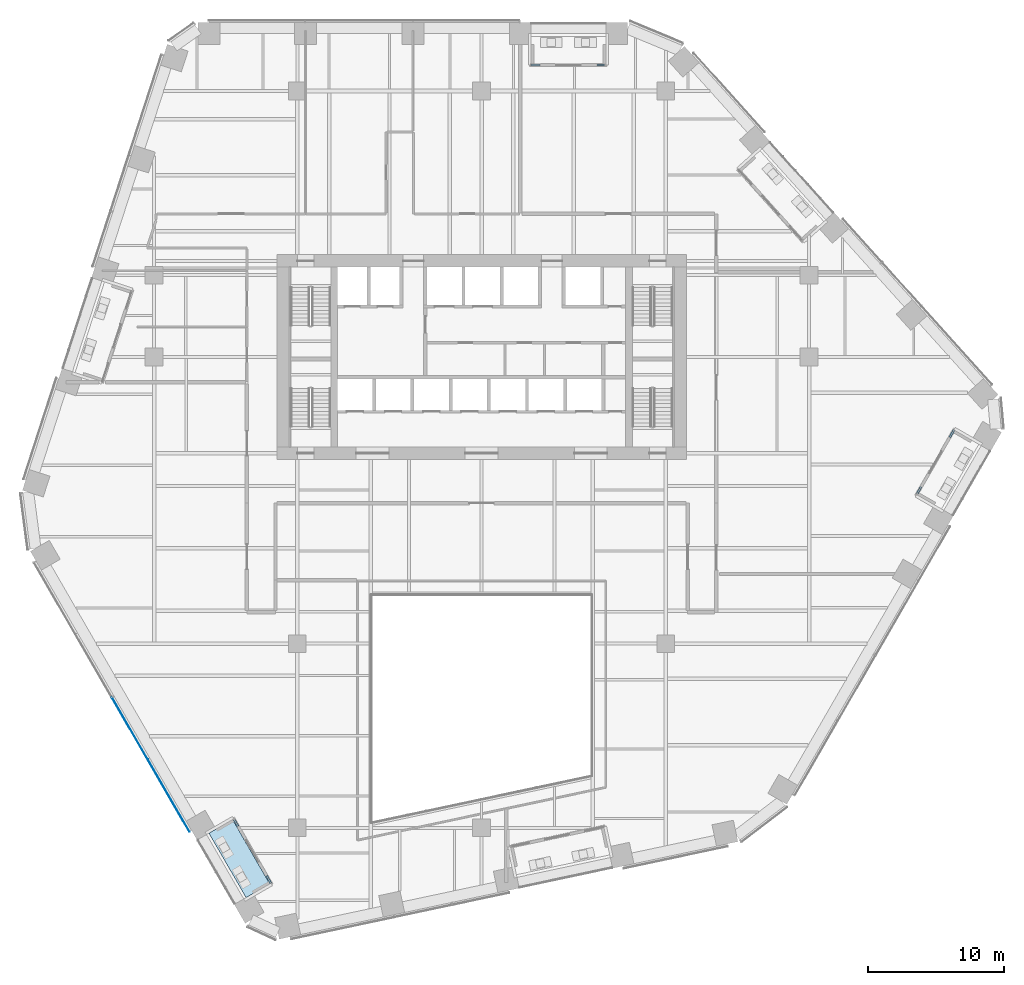
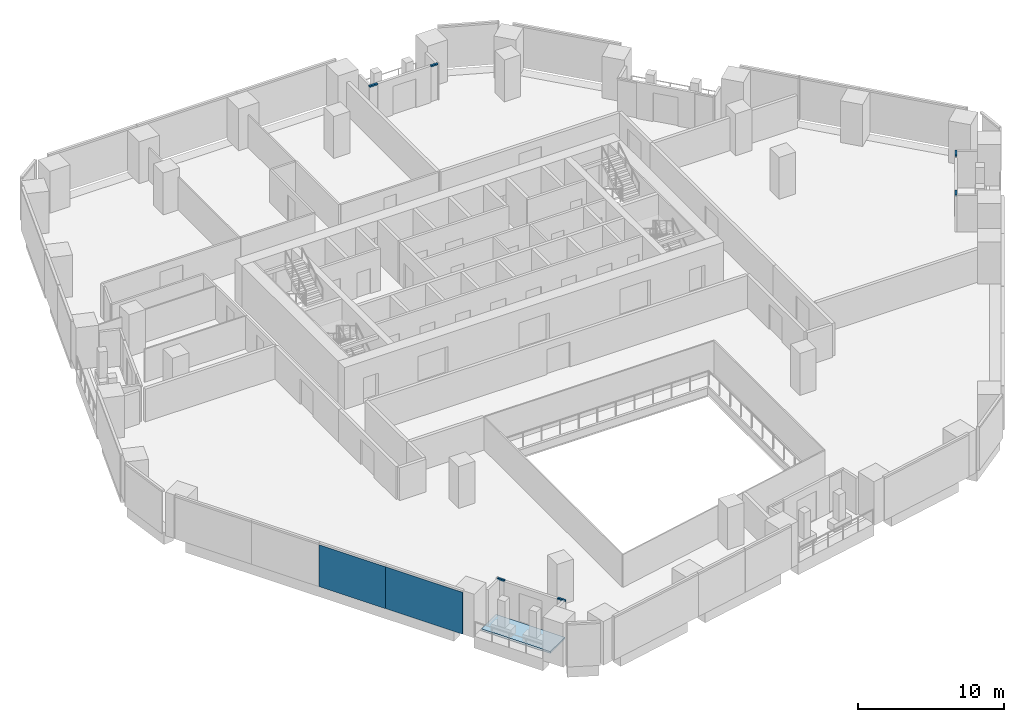
# One storey, part 15 of 28: 6 members, 2 plates, 1 slab, 4 elements without a shape of their own.
"""IFC4 building model written with IfcOpenShell, lengths in metres."""

from ifc_helpers import new_model, si_unit, direction, frame, origin, origin_2d, place, context, subcontext, project, spatial, polyline, rectangle, outline, extrude, material, layer, layer_set, material_profile, profile_set, type_object, element, aggregate, save


model = new_model("IFC4")

# Units and contexts
model_context = context("Model", 3, precision=1e-05, world=origin(), true_north=direction((0.0, 1.0)))
body_context = subcontext(model_context, "Body", "Model", "MODEL_VIEW")
ifc_project = project(units=[si_unit("LENGTHUNIT", "METRE"), si_unit("AREAUNIT", "SQUARE_METRE"), si_unit("VOLUMEUNIT", "CUBIC_METRE"), si_unit("PLANEANGLEUNIT", "RADIAN"), si_unit("MASSUNIT", "GRAM", prefix="KILO")], contexts=[model_context])

# Site, building, storey
site_placement = place(None, origin())
site = spatial("IfcSite", under=ifc_project, at=site_placement, CompositionType="ELEMENT")
building_placement = place(site_placement, origin())
building = spatial("IfcBuilding", under=site, at=building_placement, Name="Isthmus Gate Tower", CompositionType="ELEMENT")
storey_placement = place(building_placement, frame((0.0, 0.0, 98.89990234375)))
storey = spatial("IfcBuildingStorey", under=building, at=storey_placement, Name="L23", CompositionType="ELEMENT", Elevation=98.89990234375)

# Curtain wall, members
ifc_material_1 = material(Name="Aluminium, pale champagne anodised", Category="aluminium")
ifc_layer_1 = layer(ifc_material_1, 0.14990234375)
ifc_layer_set_1 = layer_set([ifc_layer_1], Name="CW-6 LOGGIA BACK WALL GLAZING 150 DEEP")
curtain_wall_type_1 = type_object("IfcCurtainWallType", Name="CW-6 LOGGIA BACK WALL GLAZING 150 DEEP", PredefinedType="NOTDEFINED", material=ifc_layer_set_1)
curtain_wall_1_placement = place(storey_placement, origin())
curtain_wall_1 = element("IfcCurtainWall", 1, at=curtain_wall_1_placement, inside=storey, type_object=curtain_wall_type_1, Name="CW-6 N L23", PredefinedType="NOTDEFINED")
ifc_material_2 = material(Name="Aluminium, pale champagne anodised", Category="aluminium")
ifc_material_profile = material_profile(ifc_material_2, rectangle(XDim=0.14990234375, YDim=0.1201171875, at=origin_2d()), Name="150x120")
ifc_profile_set = profile_set([ifc_material_profile], Name="Aluminium, pale champagne anodised")
member_type = type_object("IfcMemberType", Name="CW-6 TRANSOM 150 X 120", PredefinedType="USERDEFINED", material=ifc_profile_set)
member_1_placement = place(storey_placement, frame((9.041748046875, 28.89990234375, 2.989990234375), z_axis=(-1.0, 0.0, 0.0), x_axis=(0.0, -1.0, 0.0)))
member_1 = element("IfcMember", 2, at=member_1_placement, type_object=member_type, Name="CW-6 transom", ObjectType="TRANSOM", PredefinedType="USERDEFINED", context=body_context, shape_type="SweptSolid", body=[
    extrude(rectangle(XDim=0.14990234375, YDim=0.1201171875, at=origin_2d()), origin(), (0.0, 0.0, 1.0), 0.57470703125),
])
member_2_placement = place(storey_placement, frame((4.26708984375, 28.89990234375, 2.989990234375), z_axis=(-1.0, 0.0, 0.0), x_axis=(0.0, -1.0, 0.0)))
member_2 = element("IfcMember", 3, at=member_2_placement, type_object=member_type, Name="CW-6 transom", ObjectType="TRANSOM", PredefinedType="USERDEFINED", context=body_context, shape_type="SweptSolid", body=[
    extrude(rectangle(XDim=0.14990234375, YDim=0.1201171875, at=origin_2d()), origin(), (0.0, 0.0, 1.0), 0.634765625),
])
aggregate(curtain_wall_1, [member_1, member_2])

curtain_wall_2_placement = place(storey_placement, origin())
curtain_wall_2 = element("IfcCurtainWall", 4, at=curtain_wall_2_placement, inside=storey, type_object=curtain_wall_type_1, Name="CW-6 SW L23", PredefinedType="NOTDEFINED")
member_3_placement = place(storey_placement, frame((-18.1318359375, -26.394775390625, 2.989990234375), z_axis=(0.500111091428, -0.865961255618, 0.0), x_axis=(0.865961255618, 0.500111091428, 0.0)))
member_3 = element("IfcMember", 5, at=member_3_placement, type_object=member_type, Name="CW-6 transom", ObjectType="TRANSOM", PredefinedType="USERDEFINED", context=body_context, shape_type="SweptSolid", body=[
    extrude(rectangle(XDim=0.14990234375, YDim=0.1201171875, at=origin_2d()), origin(), (0.0, 0.0, 1.0), 0.561767578125),
])
member_4_placement = place(storey_placement, frame((-15.7509765625, -30.5185546875, 2.989990234375), z_axis=(0.500107546598, -0.865963302823, 0.0), x_axis=(0.865963302823, 0.500107546598, 0.0)))
member_4 = element("IfcMember", 6, at=member_4_placement, type_object=member_type, Name="CW-6 transom", ObjectType="TRANSOM", PredefinedType="USERDEFINED", context=body_context, shape_type="SweptSolid", body=[
    extrude(rectangle(XDim=0.14990234375, YDim=0.1201171875, at=origin_2d()), origin(), (0.0, 0.0, 1.0), 0.621826171875),
])
aggregate(curtain_wall_2, [member_3, member_4])

curtain_wall_3_placement = place(storey_placement, origin())
curtain_wall_3 = element("IfcCurtainWall", 7, at=curtain_wall_3_placement, inside=storey, type_object=curtain_wall_type_1, Name="CW-6 SE L23", PredefinedType="NOTDEFINED")
member_5_placement = place(storey_placement, frame((31.911376953125, -2.527587890625, 2.989990234375), z_axis=(0.500433297998, 0.865775094499, 0.0), x_axis=(-0.865775094499, 0.500433297998, 0.0)))
member_5 = element("IfcMember", 8, at=member_5_placement, type_object=member_type, Name="CW-6 transom", ObjectType="TRANSOM", PredefinedType="USERDEFINED", context=body_context, shape_type="SweptSolid", body=[
    extrude(rectangle(XDim=0.14990234375, YDim=0.1201171875, at=origin_2d()), origin(), (0.0, 0.0, 1.0), 0.57470703125),
])
member_6_placement = place(storey_placement, frame((34.298828125, 1.607421875, 2.989990234375), z_axis=(0.50011094668, 0.865961339213, 0.0), x_axis=(-0.865961339213, 0.50011094668, 0.0)))
member_6 = element("IfcMember", 9, at=member_6_placement, type_object=member_type, Name="CW-6 transom", ObjectType="TRANSOM", PredefinedType="USERDEFINED", context=body_context, shape_type="SweptSolid", body=[
    extrude(rectangle(XDim=0.14990234375, YDim=0.1201171875, at=origin_2d()), origin(), (0.0, 0.0, 1.0), 0.634521484375),
])
aggregate(curtain_wall_3, [member_5, member_6])

# Curtain wall, plates
ifc_material_3 = material(Name="Aluminium, pale champagne anodised", Category="aluminium")
ifc_layer_2 = layer(ifc_material_3, 0.199951171875)
ifc_layer_set_2 = layer_set([ifc_layer_2], Name="CW-1 UNITISED CURTAIN WALL 200 DEEP")
curtain_wall_type_2 = type_object("IfcCurtainWallType", Name="CW-1 UNITISED CURTAIN WALL 200 DEEP", PredefinedType="NOTDEFINED", material=ifc_layer_set_2)
curtain_wall_4_placement = place(storey_placement, origin())
curtain_wall_4 = element("IfcCurtainWall", 10, at=curtain_wall_4_placement, inside=storey, type_object=curtain_wall_type_2, Name="CW-1 SW L23", PredefinedType="NOTDEFINED")
ifc_material_4 = material(Name="Laminated low-iron glass, pale blue tint", Category="glass")
ifc_layer_3 = layer(ifc_material_4, 0.0400390625)
ifc_layer_set_3 = layer_set([ifc_layer_3], Name="CW-1 CLEAR GLASS LITE 40")
plate_type = type_object("IfcPlateType", Name="CW-1 CLEAR GLASS LITE 40", PredefinedType="CURTAIN_PANEL", material=ifc_layer_set_3)
plate_1_placement = place(storey_placement, frame((-25.768798828125, -19.72705078125, 0.0), z_axis=(0.0, 0.0, 1.0), x_axis=(0.5, -0.866025403784, 0.0)))
plate_1 = element("IfcPlate", 11, at=plate_1_placement, type_object=plate_type, Name="CW-1 glass lite", PredefinedType="CURTAIN_PANEL", context=body_context, shape_type="SweptSolid", body=[
    extrude(rectangle(XDim=5.24853515625, YDim=0.0400390625, at=origin_2d()), origin(), (0.0, 0.0, 1.0), 3.5),
])
plate_2_placement = place(storey_placement, frame((-22.929443359375, -24.644775390625, 0.0), z_axis=(0.0, 0.0, 1.0), x_axis=(0.5, -0.866025403784, 0.0)))
plate_2 = element("IfcPlate", 12, at=plate_2_placement, type_object=plate_type, Name="CW-1 glass lite", PredefinedType="CURTAIN_PANEL", context=body_context, shape_type="SweptSolid", body=[
    extrude(rectangle(XDim=6.108642578125, YDim=0.0400390625, at=origin_2d()), origin(), (0.0, 0.0, 1.0), 3.5),
])
aggregate(curtain_wall_4, [plate_1, plate_2])

# Slab
ifc_material_5 = material(Name="Concrete f'c 50 MPa", Category="concrete")
ifc_layer_4 = layer(ifc_material_5, 0.14990234375)
ifc_layer_set_4 = layer_set([ifc_layer_4], Name="LOGGIA FLOOR SLAB 150")
slab_type = type_object("IfcSlabType", Name="LOGGIA FLOOR SLAB 150", PredefinedType="FLOOR", material=ifc_layer_set_4)
slab_placement = place(storey_placement, frame((0.0, 0.0, -0.14990234375)))
element("IfcSlab", 13, at=slab_placement, inside=storey, type_object=slab_type, Name="LOGGIA FLOOR", PredefinedType="FLOOR", context=body_context, shape_type="SweptSolid", body=[
    extrude(outline(polyline([(-19.98046875, -27.392822265625), (-17.2587890625, -32.107177734375), (-15.526611328125, -31.107177734375), (-18.24853515625, -26.392822265625), (-19.98046875, -27.392822265625)])), origin(), (0.0, 0.0, 1.0), 0.14990234375),
])

save(model, "model.ifc")
